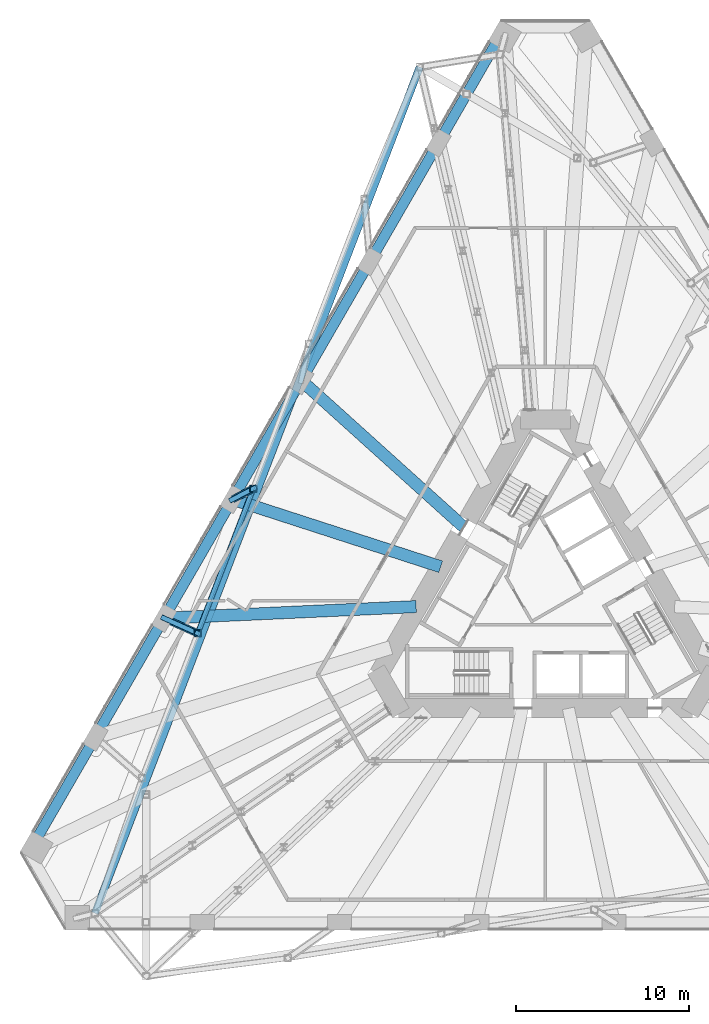
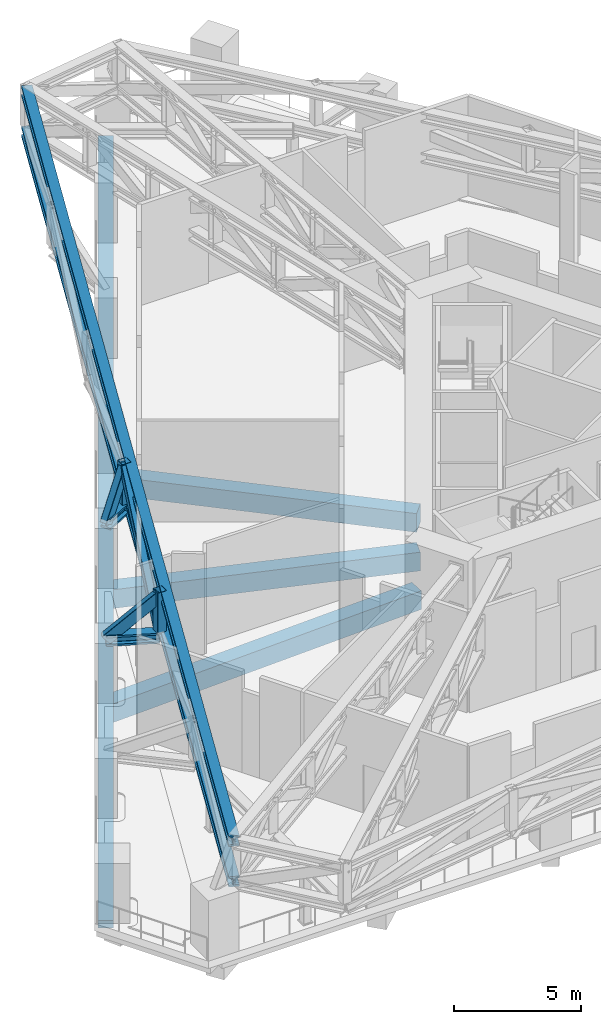
# One storey, part 4 of 20: 9 members, 4 beams.
"""IFC4 building model written with IfcOpenShell, lengths in metres."""

from ifc_helpers import new_model, si_unit, direction, frame, origin, origin_2d, place, context, subcontext, project, spatial, rectangle, hollow_rectangle, i_section, extrude, material, material_profile, profile_set, type_object, element, save


model = new_model("IFC4")

# Units and contexts
model_context = context("Model", 3, precision=1e-05, world=origin(), true_north=direction((0.0, 1.0)))
body_context = subcontext(model_context, "Body", "Model", "MODEL_VIEW")
ifc_project = project(units=[si_unit("LENGTHUNIT", "METRE"), si_unit("AREAUNIT", "SQUARE_METRE"), si_unit("VOLUMEUNIT", "CUBIC_METRE"), si_unit("PLANEANGLEUNIT", "RADIAN"), si_unit("MASSUNIT", "GRAM", prefix="KILO")], contexts=[model_context])

# Site, building, storey
site_placement = place(None, origin())
site = spatial("IfcSite", under=ifc_project, at=site_placement, CompositionType="ELEMENT")
building_placement = place(site_placement, origin())
building = spatial("IfcBuilding", under=site, at=building_placement, Name="Tramontana Tower", CompositionType="ELEMENT")
storey_placement = place(building_placement, frame((0.0, 0.0, 46.0)))
storey = spatial("IfcBuildingStorey", under=building, at=storey_placement, Name="L09", CompositionType="ELEMENT", Elevation=46.0)

# Members
ifc_material_1 = material(Name="Steel ASTM A500 Grade C", Category="steel")
ifc_material_profile_1 = material_profile(ifc_material_1, hollow_rectangle(XDim=0.406494140625, YDim=0.406494140625, WallThickness=0.0146484375, InnerFilletRadius=0.0146484375, OuterFilletRadius=0.029541015625, at=origin_2d()), Name="HSS16X16X5/8")
ifc_profile_set_1 = profile_set([ifc_material_profile_1], Name="Steel ASTM A500 Grade C")
member_type_1 = type_object("IfcMemberType", Name="Belt truss HSS16X16X5/8 post", PredefinedType="POST", material=ifc_profile_set_1)
for number, where, z_axis, x_axis, name in (
    (1, (-16.85107421875, 6.468505859375, 2.8984375), (0.0, 0.0, 1.0), (1.0, 0.0, 0.0), "Belt truss post C1F03"),
    (2, (-20.05810546875, -1.885986328125, 2.8984375), (0.0, 0.0, 1.0), (1.0, 0.0, 0.0), "Belt truss post C1F04"),
):
    element("IfcMember", number, at=place(storey_placement, frame(where, z_axis=z_axis, x_axis=x_axis)), inside=storey, type_object=member_type_1, Name=name, PredefinedType="POST", context=body_context, shape_type="SweptSolid", body=[
        extrude(hollow_rectangle(XDim=0.406494140625, YDim=0.406494140625, WallThickness=0.0146484375, InnerFilletRadius=0.0146484375, OuterFilletRadius=0.029541015625, at=origin_2d()), origin(), (0.0, 0.0, 1.0), 1.95166015625),
    ])
ifc_material_2 = material(Name="Steel ASTM A500 Grade C", Category="steel")
ifc_material_profile_2 = material_profile(ifc_material_2, hollow_rectangle(XDim=0.3046875, YDim=0.508056640625, WallThickness=0.0146484375, InnerFilletRadius=0.0146484375, OuterFilletRadius=0.029541015625, at=origin_2d()), Name="HSS20X12X5/8")
ifc_profile_set_2 = profile_set([ifc_material_profile_2], Name="Steel ASTM A500 Grade C")
member_type_2 = type_object("IfcMemberType", Name="Belt truss HSS20X12X5/8 brace", PredefinedType="BRACE", material=ifc_profile_set_2)
member_1_placement = place(storey_placement, frame((-16.85107421875, 6.468505859375, 4.600830078125), z_axis=(-0.350141864286, -0.912138748163, -0.213081155839), x_axis=(0.933578849976, -0.358372056496, 0.0)))
element("IfcMember", 3, at=member_1_placement, inside=storey, type_object=member_type_2, Name="Belt truss diagonal S0.4", PredefinedType="BRACE", context=body_context, shape_type="SweptSolid", body=[
    extrude(hollow_rectangle(XDim=0.3046875, YDim=0.508056640625, WallThickness=0.0146484375, InnerFilletRadius=0.0146484375, OuterFilletRadius=0.029541015625, at=origin_2d()), origin(), (0.0, 0.0, 1.0), 9.1591796875),
])
ifc_material_3 = material(Name="Steel ASTM A992 Grade 50", Category="steel")
ifc_material_profile_3 = material_profile(ifc_material_3, i_section(OverallWidth=0.431884765625, OverallDepth=0.49853515625, WebThickness=0.0556640625, FlangeThickness=0.0888671875, FilletRadius=0.01513671875, at=origin_2d()), Name="W14X500")
ifc_profile_set_3 = profile_set([ifc_material_profile_3], Name="Steel ASTM A992 Grade 50")
member_type_3 = type_object("IfcMemberType", Name="Belt truss W14X500 chord", PredefinedType="CHORD", material=ifc_profile_set_3)
for number, where, z_axis, x_axis, name in (
    (4, (-7.24755859375, 30.7890625, 2.649169921875), (-0.358365819965, -0.933581243964, 0.0), (0.933581243964, -0.358365819965, 0.0), "Belt truss bottom chord S0"),
    (5, (-7.24755859375, 30.7890625, 4.600830078125), (-0.358365819965, -0.933581243964, 0.0), (0.933581243964, -0.358365819965, 0.0), "Belt truss top chord S0"),
):
    element("IfcMember", number, at=place(storey_placement, frame(where, z_axis=z_axis, x_axis=x_axis)), inside=storey, type_object=member_type_3, Name=name, PredefinedType="CHORD", context=body_context, shape_type="SweptSolid", body=[
        extrude(i_section(OverallWidth=0.431884765625, OverallDepth=0.49853515625, WebThickness=0.0556640625, FlangeThickness=0.0888671875, FilletRadius=0.01513671875, at=origin_2d()), origin(), (0.0, 0.0, 1.0), 52.293701171875),
    ])

# Beams
ifc_material_4 = material(Name="Concrete 40 MPa", Category="concrete")
ifc_material_profile_4 = material_profile(ifc_material_4, rectangle(XDim=0.60009765625, YDim=0.35009765625, at=origin_2d()), Name="RC EDGE BEAM 600X350 40 MPa")
ifc_profile_set_4 = profile_set([ifc_material_profile_4], Name="Concrete 40 MPa")
beam_type_1 = type_object("IfcBeamType", Name="RC EDGE BEAM 600X350 40 MPa", PredefinedType="SPANDREL", material=ifc_profile_set_4)
beam_1_placement = place(storey_placement, frame((-2.558349609375, 32.668701171875, -0.52490234375), z_axis=(-0.500001490283, -0.866024543367, 0.0), x_axis=(0.866024543367, -0.500001490283, 0.0)))
element("IfcBeam", 6, at=beam_1_placement, inside=storey, type_object=beam_type_1, Name="Spandrel beam S0 L09", PredefinedType="SPANDREL", context=body_context, shape_type="SweptSolid", body=[
    extrude(rectangle(XDim=0.60009765625, YDim=0.35009765625, at=origin_2d()), origin(), (0.0, 0.0, 1.0), 54.025634765625),
])
ifc_material_5 = material(Name="Concrete 40 MPa", Category="concrete")
ifc_material_profile_5 = material_profile(ifc_material_5, rectangle(XDim=0.699951171875, YDim=0.89990234375, at=origin_2d()), Name="RC GIRDER 700X900 40 MPa")
ifc_profile_set_5 = profile_set([ifc_material_profile_5], Name="Concrete 40 MPa")
beam_type_2 = type_object("IfcBeamType", Name="RC GIRDER 700X900 40 MPa", PredefinedType="BEAM", material=ifc_profile_set_5)
beam_2_placement = place(storey_placement, frame((-14.085205078125, 12.70361328125, -0.800048828125), z_axis=(0.742588406407, -0.669748056116, 0.0), x_axis=(0.669748056116, 0.742588406407, 0.0)))
element("IfcBeam", 7, at=beam_2_placement, inside=storey, type_object=beam_type_2, Name="Radial girder C0F03 L09", PredefinedType="BEAM", context=body_context, shape_type="SweptSolid", body=[
    extrude(rectangle(XDim=0.699951171875, YDim=0.89990234375, at=origin_2d()), origin(), (0.0, 0.0, 1.0), 12.615966796875),
])
beam_3_placement = place(storey_placement, frame((-18.044189453125, 5.846435546875, -0.800048828125), z_axis=(0.951314408854, -0.30822215285, 0.0), x_axis=(0.30822215285, 0.951314408854, 0.0)))
element("IfcBeam", 8, at=beam_3_placement, inside=storey, type_object=beam_type_2, Name="Radial girder C0F04 L09", PredefinedType="BEAM", context=body_context, shape_type="SweptSolid", body=[
    extrude(rectangle(XDim=0.699951171875, YDim=0.89990234375, at=origin_2d()), origin(), (0.0, 0.0, 1.0), 12.61572265625),
])
beam_4_placement = place(storey_placement, frame((-22.003173828125, -1.0107421875, -0.800048828125), z_axis=(0.998946541736, 0.045889070085, 0.0), x_axis=(-0.045889070085, 0.998946541736, 0.0)))
element("IfcBeam", 9, at=beam_4_placement, inside=storey, type_object=beam_type_2, Name="Radial girder C0F05 L09", PredefinedType="BEAM", context=body_context, shape_type="SweptSolid", body=[
    extrude(rectangle(XDim=0.699951171875, YDim=0.89990234375, at=origin_2d()), origin(), (0.0, 0.0, 1.0), 14.5615234375),
])

# Members
ifc_material_6 = material(Name="Steel ASTM A500 Grade C", Category="steel")
ifc_material_profile_6 = material_profile(ifc_material_6, hollow_rectangle(XDim=0.3046875, YDim=0.508056640625, WallThickness=0.0146484375, InnerFilletRadius=0.0146484375, OuterFilletRadius=0.029541015625, at=origin_2d()), Name="HSS20X12X5/8")
ifc_profile_set_6 = profile_set([ifc_material_profile_6], Name="Steel ASTM A500 Grade C")
member_type_4 = type_object("IfcMemberType", Name="Transfer truss HSS20X12X5/8 brace", PredefinedType="BRACE", material=ifc_profile_set_6)
member_2_placement = place(storey_placement, frame((-18.044189453125, 5.846435546875, 2.649169921875), z_axis=(0.50330889327, 0.262416832423, 0.82329676546), x_axis=(-0.462317952948, 0.886714221371, 0.0)))
element("IfcMember", 10, at=member_2_placement, inside=storey, type_object=member_type_4, Name="Transfer truss strut C1F03 diagonal", PredefinedType="BRACE", context=body_context, shape_type="SweptSolid", body=[
    extrude(hollow_rectangle(XDim=0.3046875, YDim=0.508056640625, WallThickness=0.0146484375, InnerFilletRadius=0.0146484375, OuterFilletRadius=0.029541015625, at=origin_2d()), origin(), (0.0, 0.0, 1.0), 2.37060546875),
])
member_3_placement = place(storey_placement, frame((-22.003173828125, -1.0107421875, 2.649169921875), z_axis=(0.672783538453, -0.302739925361, 0.6750635881), x_axis=(0.410350399131, 0.91192793023, 0.0)))
element("IfcMember", 11, at=member_3_placement, inside=storey, type_object=member_type_4, Name="Transfer truss strut C1F04 diagonal", PredefinedType="BRACE", context=body_context, shape_type="SweptSolid", body=[
    extrude(hollow_rectangle(XDim=0.3046875, YDim=0.508056640625, WallThickness=0.0146484375, InnerFilletRadius=0.0146484375, OuterFilletRadius=0.029541015625, at=origin_2d()), origin(), (0.0, 0.0, 1.0), 2.89111328125),
])
ifc_material_7 = material(Name="Steel ASTM A992 Grade 50", Category="steel")
ifc_material_profile_7 = material_profile(ifc_material_7, i_section(OverallWidth=0.431884765625, OverallDepth=0.49853515625, WebThickness=0.0556640625, FlangeThickness=0.0888671875, FilletRadius=0.01513671875, at=origin_2d()), Name="W14X500")
ifc_profile_set_7 = profile_set([ifc_material_profile_7], Name="Steel ASTM A992 Grade 50")
member_type_5 = type_object("IfcMemberType", Name="Transfer truss W14X500 strut", PredefinedType="STRUT", material=ifc_profile_set_7)
member_4_placement = place(storey_placement, frame((-18.044189453125, 5.846435546875, 2.649169921875), z_axis=(0.886714221371, 0.462317952948, 0.0), x_axis=(-0.462317952948, 0.886714221371, 0.0)))
element("IfcMember", 12, at=member_4_placement, inside=storey, type_object=member_type_5, Name="Transfer truss strut C1F03 bottom", PredefinedType="STRUT", context=body_context, shape_type="SweptSolid", body=[
    extrude(i_section(OverallWidth=0.431884765625, OverallDepth=0.49853515625, WebThickness=0.0556640625, FlangeThickness=0.0888671875, FilletRadius=0.01513671875, at=origin_2d()), origin(), (0.0, 0.0, 1.0), 1.345458984375),
])
member_5_placement = place(storey_placement, frame((-22.003173828125, -1.0107421875, 2.649169921875), z_axis=(0.91192793023, -0.410350399131, 0.0), x_axis=(0.410350399131, 0.91192793023, 0.0)))
element("IfcMember", 13, at=member_5_placement, inside=storey, type_object=member_type_5, Name="Transfer truss strut C1F04 bottom", PredefinedType="STRUT", context=body_context, shape_type="SweptSolid", body=[
    extrude(i_section(OverallWidth=0.431884765625, OverallDepth=0.49853515625, WebThickness=0.0556640625, FlangeThickness=0.0888671875, FilletRadius=0.01513671875, at=origin_2d()), origin(), (0.0, 0.0, 1.0), 2.1328125),
])

save(model, "model.ifc")
